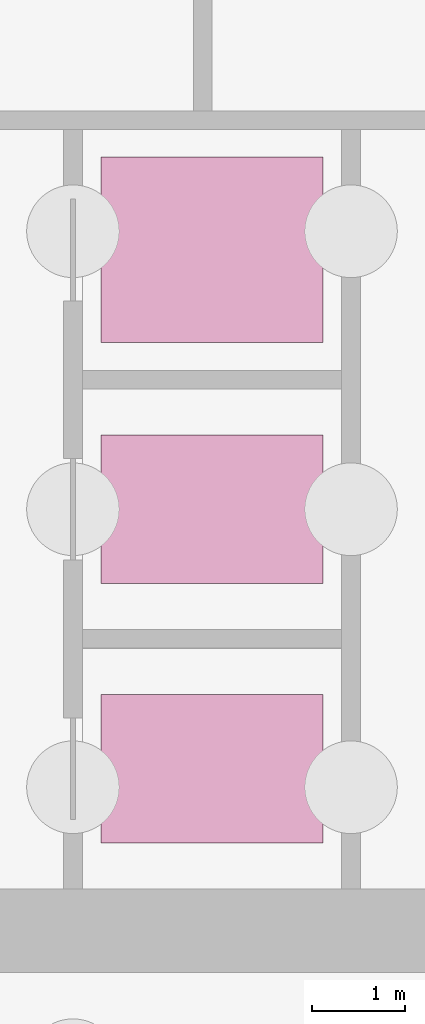
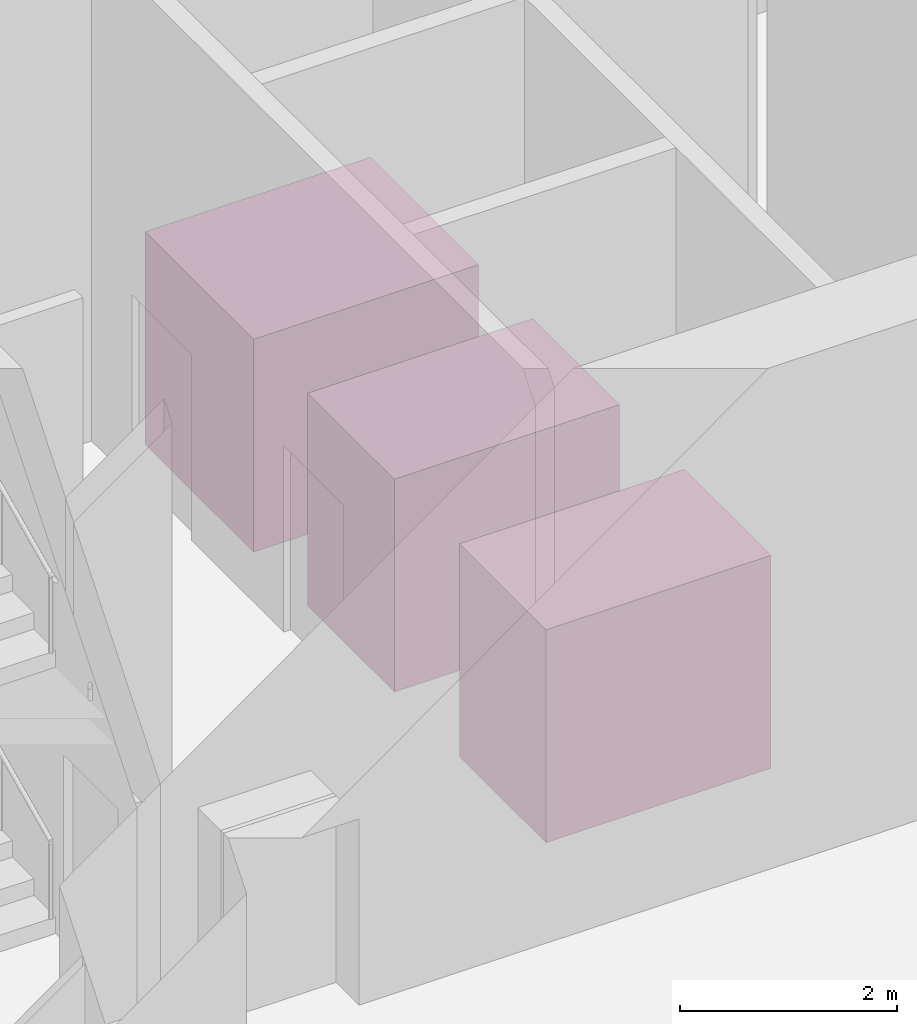
# One storey, part 16 of 16: 3 transport elements.
"""IFC4 building model written with IfcOpenShell, lengths in metres."""

from ifc_helpers import new_model, si_unit, direction, frame, origin, origin_2d, place, context, subcontext, project, spatial, rectangle, extrude, material, type_object, element, save


model = new_model("IFC4")

# Units and contexts
model_context = context("Model", 3, precision=1e-05, world=origin(), true_north=direction((0.0, 1.0)))
body_context = subcontext(model_context, "Body", "Model", "MODEL_VIEW")
ifc_project = project(units=[si_unit("LENGTHUNIT", "METRE"), si_unit("AREAUNIT", "SQUARE_METRE"), si_unit("VOLUMEUNIT", "CUBIC_METRE"), si_unit("PLANEANGLEUNIT", "RADIAN"), si_unit("MASSUNIT", "GRAM", prefix="KILO")], contexts=[model_context])

# Site, building, storey
site_placement = place(None, origin())
site = spatial("IfcSite", under=ifc_project, at=site_placement, CompositionType="ELEMENT")
building_placement = place(site_placement, origin())
building = spatial("IfcBuilding", under=site, at=building_placement, Name="Welwitschia Terrace Campus", CompositionType="ELEMENT")
storey_placement = place(building_placement, frame((0.0, 0.0, -6.0)))
storey = spatial("IfcBuildingStorey", under=building, at=storey_placement, Name="B1", CompositionType="ELEMENT", Elevation=-6.0)

# Transport elements
ifc_material_1 = material(Name="Stainless steel 304", Category="steel")
transport_element_type_1 = type_object("IfcTransportElementType", Name="Lift car FF 1600 kg", PredefinedType="ELEVATOR", material=ifc_material_1)
for number, where, z_axis, x_axis, name in (
    (1, (15.0, 6.699951171875, 0.0), (0.0, 0.0, 1.0), (1.0, 0.0, 0.0), "Lift FF1"),
    (2, (15.0, 9.5, 0.0), (0.0, 0.0, 1.0), (1.0, 0.0, 0.0), "Lift FF2"),
):
    element("IfcTransportElement", number, at=place(storey_placement, frame(where, z_axis=z_axis, x_axis=x_axis)), inside=storey, type_object=transport_element_type_1, Name=name, PredefinedType="ELEVATOR", context=body_context, shape_type="SweptSolid", body=[
        extrude(rectangle(XDim=2.39990234375, YDim=1.60009765625, at=origin_2d()), origin(), (0.0, 0.0, 1.0), 2.39990234375),
    ])
ifc_material_2 = material(Name="Stainless steel 304", Category="steel")
transport_element_type_2 = type_object("IfcTransportElementType", Name="Lift car SV 2500 kg", PredefinedType="ELEVATOR", material=ifc_material_2)
transport_element_placement = place(storey_placement, frame((15.0, 12.300048828125, 0.0), z_axis=(0.0, 0.0, 1.0), x_axis=(1.0, 0.0, 0.0)))
element("IfcTransportElement", 3, at=transport_element_placement, inside=storey, type_object=transport_element_type_2, Name="Lift SV1", PredefinedType="ELEVATOR", context=body_context, shape_type="SweptSolid", body=[
    extrude(rectangle(XDim=2.39990234375, YDim=2.0, at=origin_2d()), origin(), (0.0, 0.0, 1.0), 2.39990234375),
])

save(model, "model.ifc")
